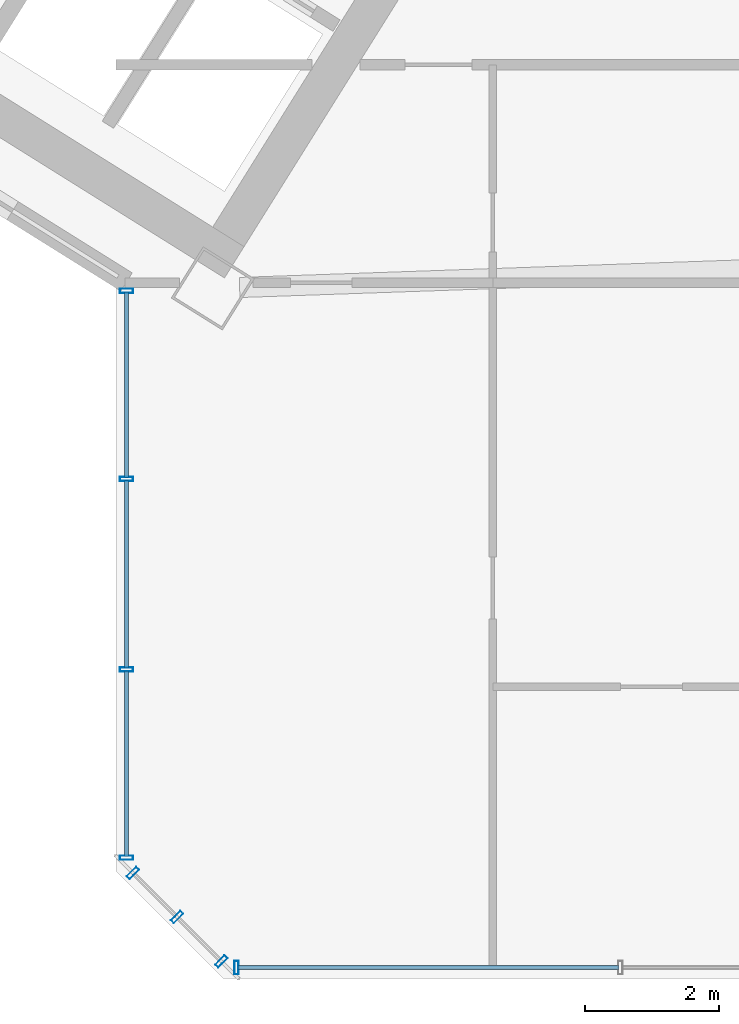
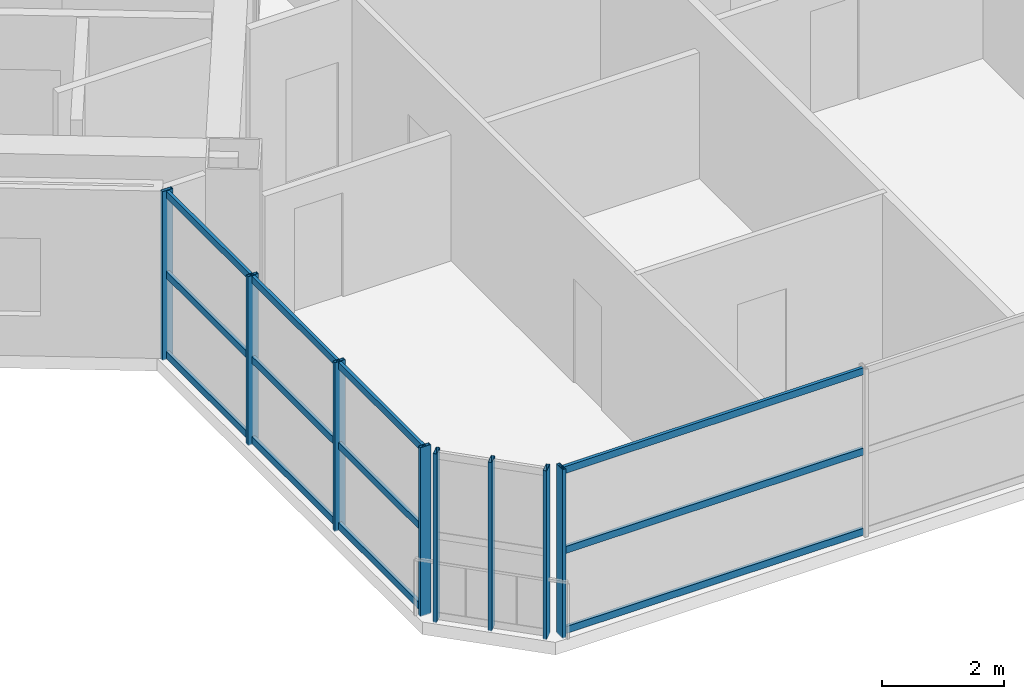
# One storey, part 4 of 21: 20 members, 3 elements without a shape of their own.
"""IFC4 building model written with IfcOpenShell, lengths in metres."""

from ifc_helpers import new_model, si_unit, direction, frame, origin, origin_2d, place, context, subcontext, project, spatial, hollow_rectangle, extrude, source, transform, mapped, material, material_profile, profile_set, type_object, element, aggregate, save


model = new_model("IFC4")

# Units and contexts
model_context = context("Model", 3, precision=1e-05, world=origin(), true_north=direction((0.0, 1.0)))
body_context = subcontext(model_context, "Body", "Model", "MODEL_VIEW")
ifc_project = project(units=[si_unit("LENGTHUNIT", "METRE"), si_unit("AREAUNIT", "SQUARE_METRE"), si_unit("VOLUMEUNIT", "CUBIC_METRE"), si_unit("PLANEANGLEUNIT", "RADIAN"), si_unit("MASSUNIT", "GRAM", prefix="KILO")], contexts=[model_context])

# Site, building, storey
site_placement = place(None, origin())
site = spatial("IfcSite", under=ifc_project, at=site_placement, CompositionType="ELEMENT")
building_placement = place(site_placement, origin())
building = spatial("IfcBuilding", under=site, at=building_placement, Name="Tlacorven Tower", CompositionType="ELEMENT")
storey_placement = place(building_placement, frame((0.0, 0.0, 105.300048828125)))
storey = spatial("IfcBuildingStorey", under=building, at=storey_placement, Name="L26", CompositionType="ELEMENT", Elevation=105.300048828125)

# Curtain wall, member
ifc_material_1 = material(Name="Dark solar low-E double glazing in aluminium frame", Category="aluminium")
curtain_wall_type = type_object("IfcCurtainWallType", Name="CW-TWR-MID", PredefinedType="USERDEFINED", material=ifc_material_1)
curtain_wall_1_placement = place(storey_placement, origin())
curtain_wall_1 = element("IfcCurtainWall", 1, at=curtain_wall_1_placement, inside=storey, type_object=curtain_wall_type, Name="L26 CW-TWR-MID Curtain Wall 132", ObjectType="UNITISED CURTAIN WALL", PredefinedType="USERDEFINED")
ifc_material_2 = material(Name="Aluminium 6063-T6 anodised", Category="aluminium")
ifc_material_profile_1 = material_profile(ifc_material_2, hollow_rectangle(XDim=0.06494140625, YDim=0.199951171875, WallThickness=0.00439453125, at=origin_2d()), Name="ALU MULLION 65X200")
ifc_profile_set_1 = profile_set([ifc_material_profile_1], Name="Aluminium 6063-T6 anodised")
member_type_1 = type_object("IfcMemberType", Name="CWM-02", PredefinedType="MULLION", material=ifc_profile_set_1)
shared_shape_1 = source(origin(), body_context, "Body", "SweptSolid", [
    extrude(hollow_rectangle(XDim=0.06494140625, YDim=0.199951171875, WallThickness=0.00439453125, at=origin_2d()), origin(), (0.0, 0.0, 1.0), 3.3798828125),
])
member_1_placement = place(storey_placement, frame((33.398681640625, 1.9599609375, -0.02001953125), z_axis=(0.0, 0.0, 1.0), x_axis=(-1.0, 0.0, 0.0)))
member_1 = element("IfcMember", 2, at=member_1_placement, type_object=member_type_1, Name="CW-L26-132 Mullion 4", PredefinedType="MULLION", context=body_context, shape_type="MappedRepresentation", body=[
    mapped(shared_shape_1, transform((0.0, 0.0, 0.0), scale=1.0)),
])

# Curtain wall, members
curtain_wall_2_placement = place(storey_placement, origin())
curtain_wall_2 = element("IfcCurtainWall", 3, at=curtain_wall_2_placement, inside=storey, type_object=curtain_wall_type, Name="L26 CW-TWR-MID Curtain Wall 133", ObjectType="UNITISED CURTAIN WALL", PredefinedType="USERDEFINED")
member_2_placement = place(storey_placement, frame((33.172607421875, 2.0537109375, -0.02001953125), z_axis=(0.0, 0.0, 1.0), x_axis=(-0.707106781187, 0.707106781187, 0.0)))
member_2 = element("IfcMember", 4, at=member_2_placement, type_object=member_type_1, Name="CW-L26-133 Mullion 1", PredefinedType="MULLION", context=body_context, shape_type="MappedRepresentation", body=[
    mapped(shared_shape_1, transform((0.0, 0.0, 0.0), scale=1.0)),
])
member_3_placement = place(storey_placement, frame((32.51318359375, 2.713134765625, -0.02001953125), z_axis=(0.0, 0.0, 1.0), x_axis=(-0.707106781187, 0.707106781187, 0.0)))
member_3 = element("IfcMember", 5, at=member_3_placement, type_object=member_type_1, Name="CW-L26-133 Mullion 2", PredefinedType="MULLION", context=body_context, shape_type="MappedRepresentation", body=[
    mapped(shared_shape_1, transform((0.0, 0.0, 0.0), scale=1.0)),
])
member_4_placement = place(storey_placement, frame((31.853759765625, 3.37255859375, -0.02001953125), z_axis=(0.0, 0.0, 1.0), x_axis=(-0.707106781187, 0.707106781187, 0.0)))
member_4 = element("IfcMember", 6, at=member_4_placement, type_object=member_type_1, Name="CW-L26-133 Mullion 3", PredefinedType="MULLION", context=body_context, shape_type="MappedRepresentation", body=[
    mapped(shared_shape_1, transform((0.0, 0.0, 0.0), scale=1.0)),
])
aggregate(curtain_wall_2, [member_2, member_3, member_4])

curtain_wall_3_placement = place(storey_placement, origin())
curtain_wall_3 = element("IfcCurtainWall", 7, at=curtain_wall_3_placement, inside=storey, type_object=curtain_wall_type, Name="L26 CW-TWR-MID Curtain Wall 134", ObjectType="UNITISED CURTAIN WALL", PredefinedType="USERDEFINED")
member_5_placement = place(storey_placement, frame((31.760009765625, 3.598876953125, -0.02001953125), z_axis=(0.0, 0.0, 1.0), x_axis=(0.0, 1.0, 0.0)))
member_5 = element("IfcMember", 8, at=member_5_placement, type_object=member_type_1, Name="CW-L26-134 Mullion 1", PredefinedType="MULLION", context=body_context, shape_type="MappedRepresentation", body=[
    mapped(shared_shape_1, transform((0.0, 0.0, 0.0), scale=1.0)),
])
member_6_placement = place(storey_placement, frame((31.760009765625, 6.4052734375, -0.02001953125), z_axis=(0.0, 0.0, 1.0), x_axis=(0.0, 1.0, 0.0)))
member_6 = element("IfcMember", 9, at=member_6_placement, type_object=member_type_1, Name="CW-L26-134 Mullion 2", PredefinedType="MULLION", context=body_context, shape_type="MappedRepresentation", body=[
    mapped(shared_shape_1, transform((0.0, 0.0, 0.0), scale=1.0)),
])
member_7_placement = place(storey_placement, frame((31.760009765625, 9.244140625, -0.02001953125), z_axis=(0.0, 0.0, 1.0), x_axis=(0.0, 1.0, 0.0)))
member_7 = element("IfcMember", 10, at=member_7_placement, type_object=member_type_1, Name="CW-L26-134 Mullion 3", PredefinedType="MULLION", context=body_context, shape_type="MappedRepresentation", body=[
    mapped(shared_shape_1, transform((0.0, 0.0, 0.0), scale=1.0)),
])
member_8_placement = place(storey_placement, frame((31.760009765625, 12.050537109375, -0.02001953125), z_axis=(0.0, 0.0, 1.0), x_axis=(0.0, 1.0, 0.0)))
member_8 = element("IfcMember", 11, at=member_8_placement, type_object=member_type_1, Name="CW-L26-134 Mullion 4", PredefinedType="MULLION", context=body_context, shape_type="MappedRepresentation", body=[
    mapped(shared_shape_1, transform((0.0, 0.0, 0.0), scale=1.0)),
])

# Member
ifc_material_profile_2 = material_profile(ifc_material_2, hollow_rectangle(XDim=0.06005859375, YDim=0.139892578125, WallThickness=0.00390625, at=origin_2d()), Name="ALU TRANSOM 60X140")
ifc_profile_set_2 = profile_set([ifc_material_profile_2], Name="Aluminium 6063-T6 anodised")
member_type_2 = type_object("IfcMemberType", Name="CWT-02", PredefinedType="USERDEFINED", material=ifc_profile_set_2)
shared_shape_2 = source(origin(), body_context, "Body", "SweptSolid", [
    extrude(hollow_rectangle(XDim=0.06005859375, YDim=0.139892578125, WallThickness=0.00390625, at=origin_2d()), origin(), (0.0, 0.0, 1.0), 5.682373046875),
])
member_9_placement = place(storey_placement, frame((39.1015625, 1.9599609375, 0.070068359375), z_axis=(-1.0, 0.0, 0.0), x_axis=(0.0, -1.0, 0.0)))
member_9 = element("IfcMember", 12, at=member_9_placement, type_object=member_type_2, Name="CW-L26-132 Transom 7", ObjectType="TRANSOM", PredefinedType="USERDEFINED", context=body_context, shape_type="MappedRepresentation", body=[
    mapped(shared_shape_2, transform((0.0, 0.0, 0.0), scale=1.0)),
])

member_10_placement = place(storey_placement, frame((39.1015625, 1.9599609375, 1.675048828125), z_axis=(-1.0, 0.0, 0.0), x_axis=(0.0, -1.0, 0.0)))
member_10 = element("IfcMember", 13, at=member_10_placement, type_object=member_type_2, Name="CW-L26-132 Transom 8", ObjectType="TRANSOM", PredefinedType="USERDEFINED", context=body_context, shape_type="MappedRepresentation", body=[
    mapped(shared_shape_2, transform((0.0, 0.0, 0.0), scale=1.0)),
])

member_11_placement = place(storey_placement, frame((39.1015625, 1.9599609375, 3.280029296875), z_axis=(-1.0, 0.0, 0.0), x_axis=(0.0, -1.0, 0.0)))
member_11 = element("IfcMember", 14, at=member_11_placement, type_object=member_type_2, Name="CW-L26-132 Transom 9", ObjectType="TRANSOM", PredefinedType="USERDEFINED", context=body_context, shape_type="MappedRepresentation", body=[
    mapped(shared_shape_2, transform((0.0, 0.0, 0.0), scale=1.0)),
])

aggregate(curtain_wall_1, [member_1, member_9, member_10, member_11])

shared_shape_3 = source(origin(), body_context, "Body", "SweptSolid", [
    extrude(hollow_rectangle(XDim=0.06005859375, YDim=0.139892578125, WallThickness=0.00390625, at=origin_2d()), origin(), (0.0, 0.0, 1.0), 2.765380859375),
])
member_12_placement = place(storey_placement, frame((31.760009765625, 3.619384765625, 0.070068359375), z_axis=(0.0, 1.0, 0.0), x_axis=(-1.0, 0.0, 0.0)))
member_12 = element("IfcMember", 15, at=member_12_placement, type_object=member_type_2, Name="CW-L26-134 Transom 1", ObjectType="TRANSOM", PredefinedType="USERDEFINED", context=body_context, shape_type="MappedRepresentation", body=[
    mapped(shared_shape_3, transform((0.0, 0.0, 0.0), scale=1.0)),
])

member_13_placement = place(storey_placement, frame((31.760009765625, 3.619384765625, 1.675048828125), z_axis=(0.0, 1.0, 0.0), x_axis=(-1.0, 0.0, 0.0)))
member_13 = element("IfcMember", 16, at=member_13_placement, type_object=member_type_2, Name="CW-L26-134 Transom 2", ObjectType="TRANSOM", PredefinedType="USERDEFINED", context=body_context, shape_type="MappedRepresentation", body=[
    mapped(shared_shape_3, transform((0.0, 0.0, 0.0), scale=1.0)),
])

member_14_placement = place(storey_placement, frame((31.760009765625, 3.619384765625, 3.280029296875), z_axis=(0.0, 1.0, 0.0), x_axis=(-1.0, 0.0, 0.0)))
member_14 = element("IfcMember", 17, at=member_14_placement, type_object=member_type_2, Name="CW-L26-134 Transom 3", ObjectType="TRANSOM", PredefinedType="USERDEFINED", context=body_context, shape_type="MappedRepresentation", body=[
    mapped(shared_shape_3, transform((0.0, 0.0, 0.0), scale=1.0)),
])

member_15_placement = place(storey_placement, frame((31.760009765625, 9.2646484375, 0.070068359375), z_axis=(0.0, 1.0, 0.0), x_axis=(-1.0, 0.0, 0.0)))
member_15 = element("IfcMember", 18, at=member_15_placement, type_object=member_type_2, Name="CW-L26-134 Transom 7", ObjectType="TRANSOM", PredefinedType="USERDEFINED", context=body_context, shape_type="MappedRepresentation", body=[
    mapped(shared_shape_3, transform((0.0, 0.0, 0.0), scale=1.0)),
])

member_16_placement = place(storey_placement, frame((31.760009765625, 9.2646484375, 1.675048828125), z_axis=(0.0, 1.0, 0.0), x_axis=(-1.0, 0.0, 0.0)))
member_16 = element("IfcMember", 19, at=member_16_placement, type_object=member_type_2, Name="CW-L26-134 Transom 8", ObjectType="TRANSOM", PredefinedType="USERDEFINED", context=body_context, shape_type="MappedRepresentation", body=[
    mapped(shared_shape_3, transform((0.0, 0.0, 0.0), scale=1.0)),
])

member_17_placement = place(storey_placement, frame((31.760009765625, 9.2646484375, 3.280029296875), z_axis=(0.0, 1.0, 0.0), x_axis=(-1.0, 0.0, 0.0)))
member_17 = element("IfcMember", 20, at=member_17_placement, type_object=member_type_2, Name="CW-L26-134 Transom 9", ObjectType="TRANSOM", PredefinedType="USERDEFINED", context=body_context, shape_type="MappedRepresentation", body=[
    mapped(shared_shape_3, transform((0.0, 0.0, 0.0), scale=1.0)),
])

shared_shape_4 = source(origin(), body_context, "Body", "SweptSolid", [
    extrude(hollow_rectangle(XDim=0.06005859375, YDim=0.139892578125, WallThickness=0.00390625, at=origin_2d()), origin(), (0.0, 0.0, 1.0), 2.7978515625),
])
member_18_placement = place(storey_placement, frame((31.760009765625, 6.42578125, 0.070068359375), z_axis=(0.0, 1.0, 0.0), x_axis=(-1.0, 0.0, 0.0)))
member_18 = element("IfcMember", 21, at=member_18_placement, type_object=member_type_2, Name="CW-L26-134 Transom 4", ObjectType="TRANSOM", PredefinedType="USERDEFINED", context=body_context, shape_type="MappedRepresentation", body=[
    mapped(shared_shape_4, transform((0.0, 0.0, 0.0), scale=1.0)),
])

member_19_placement = place(storey_placement, frame((31.760009765625, 6.42578125, 1.675048828125), z_axis=(0.0, 1.0, 0.0), x_axis=(-1.0, 0.0, 0.0)))
member_19 = element("IfcMember", 22, at=member_19_placement, type_object=member_type_2, Name="CW-L26-134 Transom 5", ObjectType="TRANSOM", PredefinedType="USERDEFINED", context=body_context, shape_type="MappedRepresentation", body=[
    mapped(shared_shape_4, transform((0.0, 0.0, 0.0), scale=1.0)),
])

member_20_placement = place(storey_placement, frame((31.760009765625, 6.42578125, 3.280029296875), z_axis=(0.0, 1.0, 0.0), x_axis=(-1.0, 0.0, 0.0)))
member_20 = element("IfcMember", 23, at=member_20_placement, type_object=member_type_2, Name="CW-L26-134 Transom 6", ObjectType="TRANSOM", PredefinedType="USERDEFINED", context=body_context, shape_type="MappedRepresentation", body=[
    mapped(shared_shape_4, transform((0.0, 0.0, 0.0), scale=1.0)),
])

aggregate(curtain_wall_3, [member_5, member_6, member_7, member_8, member_12, member_13, member_14, member_18, member_19, member_20, member_15, member_16, member_17])

save(model, "model.ifc")
